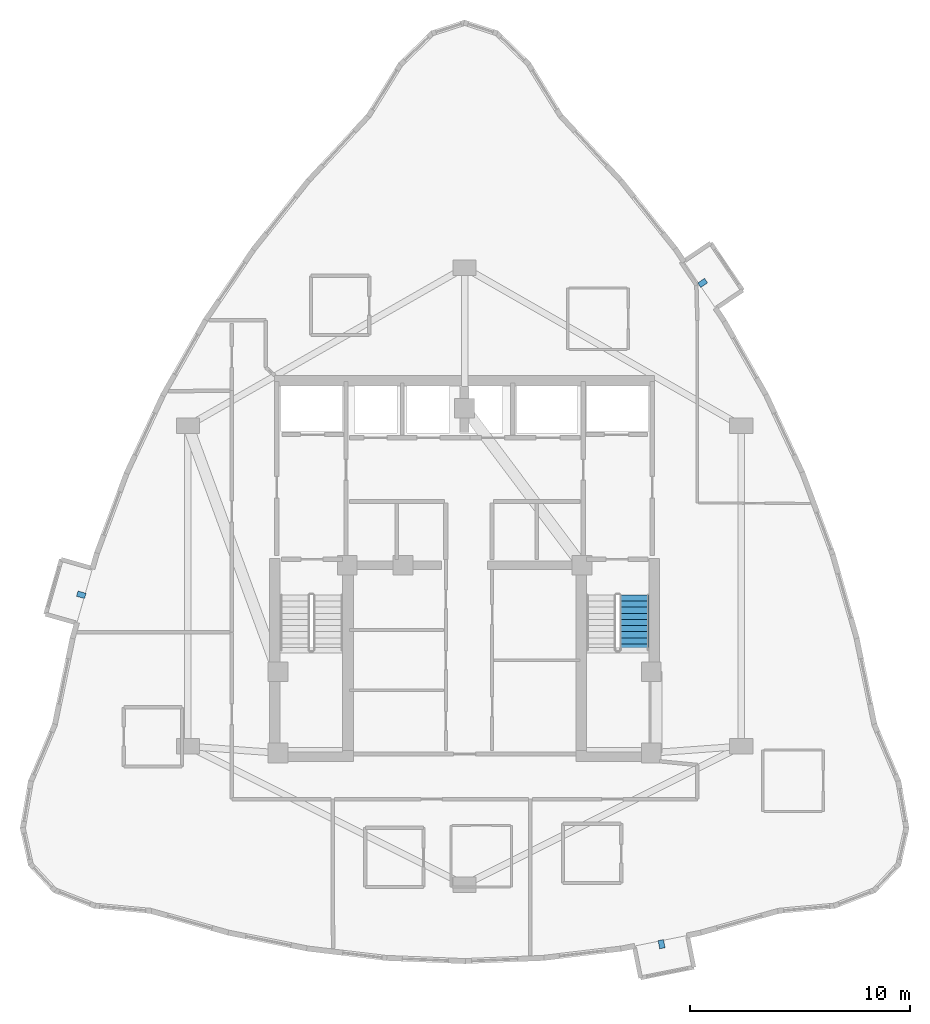
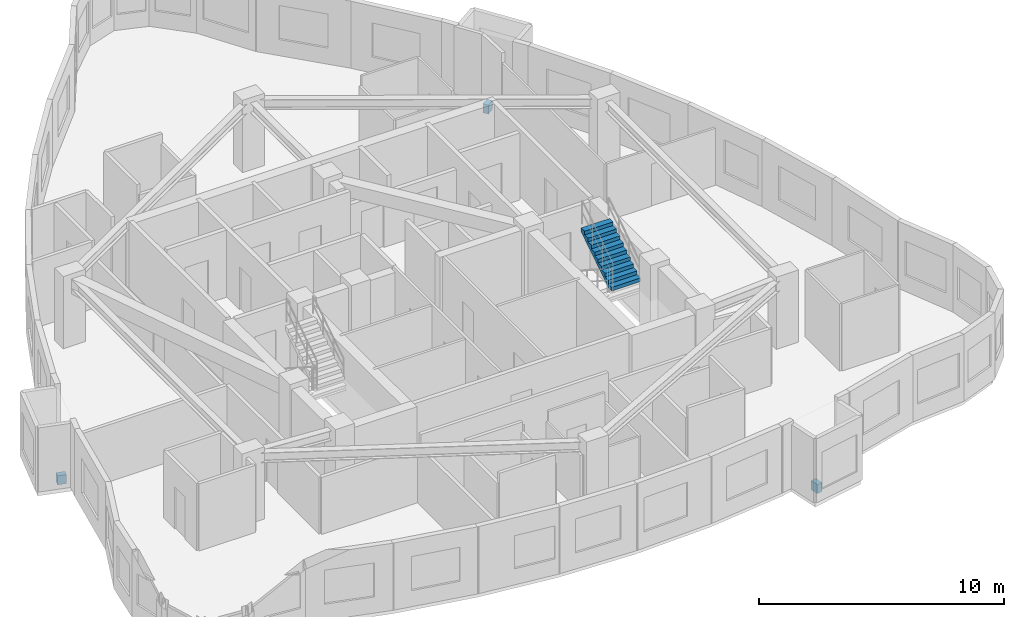
# One storey, part 8 of 9: 3 discrete accessories, 1 stair flight, 1 element without a shape of its own.
"""IFC4 building model written with IfcOpenShell, lengths in metres."""

import ifcopenshell
import ifcopenshell.guid

model = None  # the IFC model being written
_history = None  # IfcOwnerHistory: only IFC2X3 demands one
_inside = {}  # id of a spatial element -> (the spatial element, [elements in it])
_under = {}  # id of a project, library or spatial element -> (it, [spatial elements below it])
_declared = {}  # id of a project -> (the project, [libraries it declares])
_typed = {}  # id of a type object -> (the type object, [elements of that type])
_made_of = {}  # id of a material, layer set ... -> (it, [elements and type objects made of it])


def new_model(schema):
    """Start an empty IFC model of exactly this schema.

    Asked for "IFC4X3", IfcOpenShell would pick the latest addendum, in which some entities
    have other attributes; the version numbers below select the first issue.
    IFC2X3 requires an IfcOwnerHistory on every rooted entity: one is made here for all.
    """
    global model, _history
    if schema == "IFC4X3":
        model = ifcopenshell.file(schema_version=(4, 3, 0, 0))
    else:
        model = ifcopenshell.file(schema=schema)
    _inside.clear()
    _under.clear()
    _declared.clear()
    _typed.clear()
    _made_of.clear()
    _history = None
    if model.schema == "IFC2X3":
        org = make("IfcOrganization", Name="unknown")
        user = make(
            "IfcPersonAndOrganization",
            ThePerson=make("IfcPerson", FamilyName="unknown"),
            TheOrganization=org,
        )
        app = make(
            "IfcApplication",
            ApplicationDeveloper=org,
            Version="unknown",
            ApplicationFullName="unknown",
            ApplicationIdentifier="unknown",
        )
        _history = make(
            "IfcOwnerHistory",
            OwningUser=user,
            OwningApplication=app,
            ChangeAction="ADDED",
            CreationDate=0,
        )
    return model


def make(cls, **values):
    """One entity of the class cls with the attributes given. An attribute that is None is left unset."""
    return model.create_entity(
        cls, **{name: value for name, value in values.items() if value is not None}
    )


def rooted(cls, **values):
    """An entity with a GlobalId (a new one), such as an element, a storey or a relation."""
    return make(cls, GlobalId=ifcopenshell.guid.new(), OwnerHistory=_history, **values)


def si_unit(unit_type, name, prefix=None):
    """IfcSIUnit, for example si_unit("LENGTHUNIT", "METRE", prefix="MILLI")."""
    return make("IfcSIUnit", UnitType=unit_type, Prefix=prefix, Name=name)


def assignment(units):
    """IfcUnitAssignment: the units of a project."""
    return None if units is None else make("IfcUnitAssignment", Units=units)


def point(xyz):
    """IfcCartesianPoint."""
    return None if xyz is None else make("IfcCartesianPoint", Coordinates=xyz)


def direction(xyz):
    """IfcDirection."""
    return None if xyz is None else make("IfcDirection", DirectionRatios=xyz)


def frame(location, z_axis=None, x_axis=None):
    """IfcAxis2Placement3D, a coordinate frame: its origin and axes. An axis left out is left unset."""
    return make(
        "IfcAxis2Placement3D",
        Location=point(location),
        Axis=direction(z_axis),
        RefDirection=direction(x_axis),
    )


def frame_2d(location, x_axis=None):
    """IfcAxis2Placement2D, a coordinate frame in the plane: its origin and x axis."""
    return make(
        "IfcAxis2Placement2D", Location=point(location), RefDirection=direction(x_axis)
    )


def origin():
    """The frame at (0, 0, 0) with its axes left unset."""
    return frame((0.0, 0.0, 0.0))


def origin_2d():
    """The frame at (0, 0) in the plane with its x axis left unset."""
    return frame_2d((0.0, 0.0))


def place(relative_to, where):
    """IfcLocalPlacement: puts the frame where relative to a parent placement (None: the world)."""
    return make(
        "IfcLocalPlacement", PlacementRelTo=relative_to, RelativePlacement=where
    )


def context(
    kind, dimensions, precision=None, world=None, true_north=None, identifier=None
):
    """IfcGeometricRepresentationContext, for example the 3D "Model" context."""
    return make(
        "IfcGeometricRepresentationContext",
        ContextIdentifier=identifier,
        ContextType=kind,
        CoordinateSpaceDimension=dimensions,
        Precision=precision,
        WorldCoordinateSystem=world,
        TrueNorth=true_north,
    )


def subcontext(parent, identifier, kind, view, scale=None):
    """IfcGeometricRepresentationSubContext, for example "Body" below "Model"."""
    return make(
        "IfcGeometricRepresentationSubContext",
        ContextIdentifier=identifier,
        ContextType=kind,
        ParentContext=parent,
        TargetScale=scale,
        TargetView=view,
    )


def project(units=None, contexts=None):
    """IfcProject with its units and contexts."""
    return rooted(
        "IfcProject",
        Name="project",
        RepresentationContexts=contexts,
        UnitsInContext=assignment(units),
    )


def spatial(cls, under=None, at=None, **own):
    """A site, building, storey or space (cls), placed at a placement, below another one or the project."""
    s = rooted(cls, ObjectPlacement=at, **own)
    if under is not None:
        _under.setdefault(under.id(), (under, []))[1].append(s)
    return s


def polyline(points):
    """IfcPolyline through the points."""
    return make("IfcPolyline", Points=[point(p) for p in points])


def profile(cls, at=None, kind="AREA", **sizes):
    """A parametric profile (cls). Its sizes go by their IFC names, for example OverallWidth=200.0."""
    return make(cls, ProfileType=kind, Position=at, **sizes)


def rectangle(**sizes):
    """IfcRectangleProfileDef."""
    return profile("IfcRectangleProfileDef", **sizes)


def outline(outer, holes=None, kind="AREA"):
    """IfcArbitraryClosedProfileDef: a profile drawn as a closed curve; with holes, ...WithVoids."""
    if holes is None:
        return make("IfcArbitraryClosedProfileDef", ProfileType=kind, OuterCurve=outer)
    return make(
        "IfcArbitraryProfileDefWithVoids",
        ProfileType=kind,
        OuterCurve=outer,
        InnerCurves=holes,
    )


def extrude(swept, where, along, depth):
    """IfcExtrudedAreaSolid: the profile swept, set in the frame where, extruded along a direction by depth."""
    return make(
        "IfcExtrudedAreaSolid",
        SweptArea=swept,
        Position=where,
        ExtrudedDirection=direction(along),
        Depth=depth,
    )


def shape(context_of_items, identifier, shape_type, items):
    """IfcShapeRepresentation: the items that make up one representation, for example the "Body"."""
    return make(
        "IfcShapeRepresentation",
        ContextOfItems=context_of_items,
        RepresentationIdentifier=identifier,
        RepresentationType=shape_type,
        Items=items,
    )


def material(Name=None, Category=None):
    """IfcMaterial."""
    return make("IfcMaterial", Name=Name, Category=Category)


def made_of(thing, what):
    """Note that an element or type object is made of a material, layer set ...; save() writes the relation."""
    if what is not None:
        _made_of.setdefault(what.id(), (what, []))[1].append(thing)
    return thing


def type_object(cls, material=None, **own):
    """A type object (cls), such as IfcWallType, which elements share."""
    return made_of(rooted(cls, **own), material)


def element(
    cls,
    number,
    at=None,
    inside=None,
    cuts=None,
    type_object=None,
    material=None,
    context=None,
    identifier="Body",
    shape_type=None,
    held_by="IfcProductDefinitionShape",
    body=None,
    shapes=None,
    **own,
):
    """One element of the class cls, such as IfcWall. Its Tag is "e" and its number.

    at: its placement. inside: the storey or other place that contains it. cuts: it is an
    opening in that element (IfcRelVoidsElement). A single representation is given by context,
    identifier, shape_type and body (its items); several are given by shapes. held_by: the class
    of the entity that holds the representations. save() writes the other relations.
    """
    e = rooted(cls, Tag="e%d" % number, ObjectPlacement=at, **own)
    if body is not None:
        shapes = [shape(context, identifier, shape_type, body)]
    if shapes is not None:
        e.Representation = make(held_by, Representations=shapes)
    if inside is not None:
        _inside.setdefault(inside.id(), (inside, []))[1].append(e)
    if cuts is not None:
        rooted(
            "IfcRelVoidsElement", RelatingBuildingElement=cuts, RelatedOpeningElement=e
        )
    if type_object is not None:
        _typed.setdefault(type_object.id(), (type_object, []))[1].append(e)
    return made_of(e, material)


def aggregate(whole, parts):
    """IfcRelAggregates: a whole, such as a stair, and the parts it consists of."""
    return rooted("IfcRelAggregates", RelatingObject=whole, RelatedObjects=parts)


def save(model, path):
    """Write the relations noted so far, then the file.

    IfcRelAggregates (storeys below a building ...), IfcRelContainedInSpatialStructure (elements
    in a storey), IfcRelDefinesByType, IfcRelAssociatesMaterial and IfcRelDeclares: one each for
    every whole, place, type object, material and project.
    """
    for whole, parts in _under.values():
        aggregate(whole, parts)
    for where, things in _inside.values():
        rooted(
            "IfcRelContainedInSpatialStructure",
            RelatedElements=things,
            RelatingStructure=where,
        )
    for kind, things in _typed.values():
        rooted("IfcRelDefinesByType", RelatedObjects=things, RelatingType=kind)
    for what, things in _made_of.values():
        rooted("IfcRelAssociatesMaterial", RelatedObjects=things, RelatingMaterial=what)
    for by, libraries in _declared.values():
        rooted("IfcRelDeclares", RelatingContext=by, RelatedDefinitions=libraries)
    model.write(path)


model = new_model("IFC4")

# Units and contexts
model_context = context("Model", 3, precision=1e-05, world=origin(), true_north=direction((0.0, 1.0)))
body_context = subcontext(model_context, "Body", "Model", "MODEL_VIEW")
ifc_project = project(units=[si_unit("LENGTHUNIT", "METRE"), si_unit("AREAUNIT", "SQUARE_METRE"), si_unit("VOLUMEUNIT", "CUBIC_METRE"), si_unit("PLANEANGLEUNIT", "RADIAN"), si_unit("MASSUNIT", "GRAM", prefix="KILO")], contexts=[model_context])

# Site, building, storey
site_placement = place(None, origin())
site = spatial("IfcSite", under=ifc_project, at=site_placement, CompositionType="ELEMENT")
building_placement = place(site_placement, origin())
building = spatial("IfcBuilding", under=site, at=building_placement, Name="Miruveldt Soraemaru", CompositionType="ELEMENT")
storey_placement = place(building_placement, frame((0.0, 0.0, 194.39990234375)))
storey = spatial("IfcBuildingStorey", under=building, at=storey_placement, Name="L53", CompositionType="ELEMENT", Elevation=194.39990234375)

# Stair, stair flight
ifc_material_1 = material(Name="Concrete C40/50 (40 MPa)", Category="concrete")
stair_type = type_object("IfcStairType", Name="STAIR-DL-360", PredefinedType="HALF_TURN_STAIR", material=ifc_material_1)
stair_placement = place(storey_placement, origin())
stair = element("IfcStair", 1, at=stair_placement, inside=storey, type_object=stair_type, Name="L53 Protected Exit Stair ST-2", PredefinedType="HALF_TURN_STAIR")
stair_flight_type = type_object("IfcStairFlightType", Name="SFL-DL-360", PredefinedType="STRAIGHT", material=ifc_material_1)
stair_flight_placement = place(storey_placement, frame((51.72509765625, 40.179931640625, 1.800048828125), z_axis=(0.0, 0.0, 1.0), x_axis=(0.0, 1.0, 0.0)))
stair_flight = element("IfcStairFlight", 2, at=stair_flight_placement, type_object=stair_flight_type, Name="ST-2 flight 2", NumberOfRisers=10, NumberOfTreads=9, PredefinedType="STRAIGHT", RiserHeight=0.18, TreadLength=0.28, context=body_context, shape_type="SweptSolid", body=[
    extrude(outline(polyline([(0.0, 0.0), (0.0, 0.179931640625), (0.280029296875, 0.179931640625), (0.280029296875, 0.360107421875), (0.56005859375, 0.360107421875), (0.56005859375, 0.5400390625), (0.840087890625, 0.5400390625), (0.840087890625, 0.719970703125), (1.1201171875, 0.719970703125), (1.1201171875, 0.89990234375), (1.39990234375, 0.89990234375), (1.39990234375, 1.080078125), (1.679931640625, 1.080078125), (1.679931640625, 1.260009765625), (1.9599609375, 1.260009765625), (1.9599609375, 1.43994140625), (2.239990234375, 1.43994140625), (2.239990234375, 1.6201171875), (2.52001953125, 1.6201171875), (2.52001953125, 1.800048828125), (2.52001953125, 1.429931640625), (0.295654296875, 0.0), (0.0, 0.0)])), frame((0.0, 0.675048828125, 0.0), z_axis=(0.0, -1.0, 0.0), x_axis=(1.0, 0.0, 0.0)), (0.0, 0.0, 1.0), 1.35009765625),
])
aggregate(stair, [stair_flight])

# Discrete accessories
ifc_material_2 = material(Name="Steel SM355 (355 MPa)", Category="steel")
discrete_accessory_type = type_object("IfcDiscreteAccessoryType", Name="ACC-BAY-BRK", PredefinedType="BRACKET", material=ifc_material_2)
for number, where, z_axis, x_axis, name in (
    (3, (26.541259765625, 42.701904296875, -0.69970703125), (0.0, 0.0, 1.0), (-0.961449093633, 0.274982981932, 0.0), "L53 Bay Window Cantilever Bracket 1"),
    (4, (52.969482421875, 26.78857421875, -0.69970703125), (0.0, 0.0, 1.0), (0.196100176415, -0.980583867301, 0.0), "L53 Bay Window Cantilever Bracket 2"),
    (5, (54.841796875, 56.90478515625, -0.69970703125), (0.0, 0.0, 1.0), (0.827913531301, 0.560855761037, 0.0), "L53 Bay Window Cantilever Bracket 3"),
):
    element("IfcDiscreteAccessory", number, at=place(storey_placement, frame(where, z_axis=z_axis, x_axis=x_axis)), inside=storey, type_object=discrete_accessory_type, Name=name, PredefinedType="BRACKET", context=body_context, shape_type="SweptSolid", body=[
        extrude(rectangle(XDim=0.3798828125, YDim=0.25, at=origin_2d()), origin(), (0.0, 0.0, 1.0), 0.449951171875),
    ])

save(model, "model.ifc")
